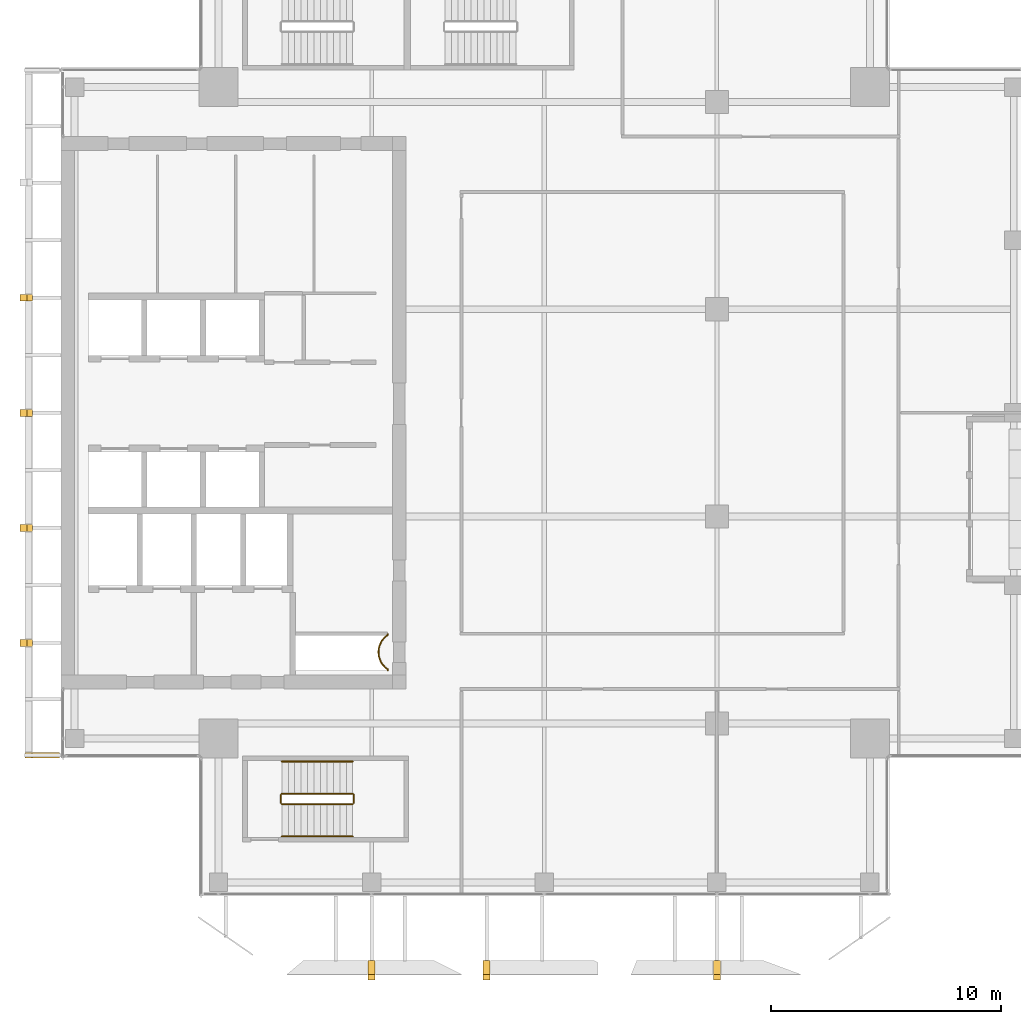
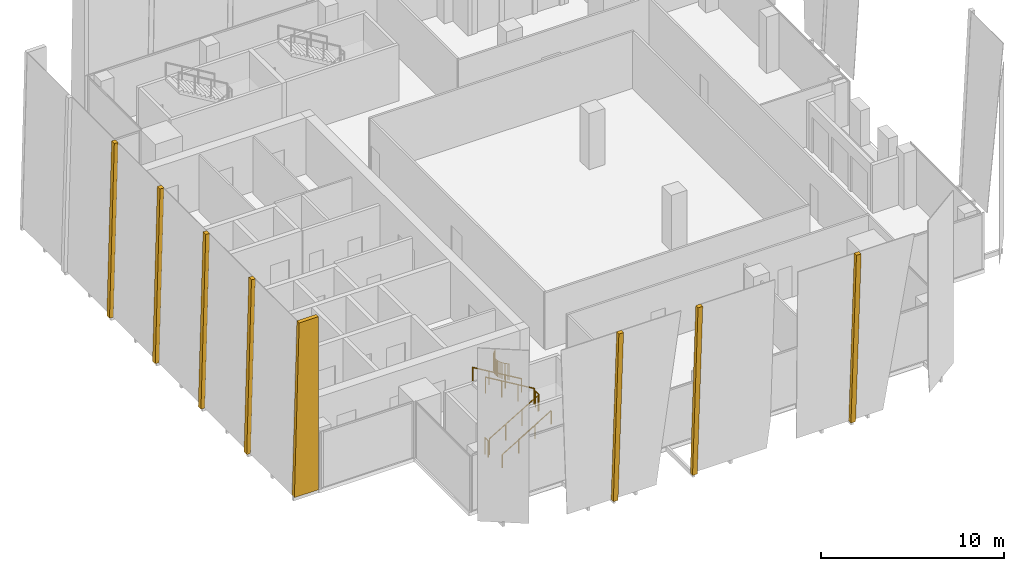
# One storey, part 29 of 32: 8 coverings, 7 railings.
"""IFC4 building model written with IfcOpenShell, lengths in metres."""

from ifc_helpers import new_model, si_unit, direction, frame, origin, origin_2d, place, context, subcontext, project, spatial, polyline, circle, outline, extrude, source, transform, mapped, material, layer, layer_set, type_object, element, save


model = new_model("IFC4")

# Units and contexts
model_context = context("Model", 3, precision=1e-05, world=origin(), true_north=direction((0.0, 1.0)))
body_context = subcontext(model_context, "Body", "Model", "MODEL_VIEW")
ifc_project = project(units=[si_unit("LENGTHUNIT", "METRE"), si_unit("AREAUNIT", "SQUARE_METRE"), si_unit("VOLUMEUNIT", "CUBIC_METRE"), si_unit("PLANEANGLEUNIT", "RADIAN"), si_unit("MASSUNIT", "GRAM", prefix="KILO")], contexts=[model_context])

# Site, building, storey
site_placement = place(None, origin())
site = spatial("IfcSite", under=ifc_project, at=site_placement, CompositionType="ELEMENT")
building_placement = place(site_placement, origin())
building = spatial("IfcBuilding", under=site, at=building_placement, Name="Khomas Fold Tower", CompositionType="ELEMENT")
storey_placement = place(building_placement, frame((0.0, 0.0, 318.199951171875)))
storey = spatial("IfcBuildingStorey", under=building, at=storey_placement, Name="L72", CompositionType="ELEMENT", Elevation=318.199951171875)

# Coverings
ifc_material_1 = material(Name="Natural stone cladding", Category="masonry")
ifc_layer = layer(ifc_material_1, 0.25)
ifc_layer_set = layer_set([ifc_layer], Name="Natural stone cladding")
covering_type = type_object("IfcCoveringType", Name="SK-Karibib marble stone mullion", PredefinedType="CLADDING", material=ifc_layer_set)
covering_1_placement = place(storey_placement, frame((19.35009765625, 3.21337890625, 0.0), z_axis=(0.0, 0.99862882819, 0.052349436554), x_axis=(0.0, -0.052349436554, 0.99862882819)))
element("IfcCovering", 1, at=covering_1_placement, inside=storey, type_object=covering_type, Name="OUTER SKIN mullion L72 SM100-3", PredefinedType="CLADDING", context=body_context, shape_type="SweptSolid", body=[
    extrude(outline(polyline([(0.0, 0.0), (11.565907674683308, 0.0), (11.565907674683308, 0.2998046875), (0.0, 0.2998046875), (0.0, 0.0)])), origin(), (0.0, 0.0, -1.0), 0.25),
])
covering_2_placement = place(storey_placement, frame((24.361083984375, 3.21337890625, 0.0), z_axis=(7.9585813e-05, 0.99862882107, 0.052349511882), x_axis=(-0.041883682138, -0.052300246238, 0.997752695518)))
element("IfcCovering", 2, at=covering_2_placement, inside=storey, type_object=covering_type, Name="OUTER SKIN mullion L72 SM101-5", PredefinedType="CLADDING", context=body_context, shape_type="SweptSolid", body=[
    extrude(outline(polyline([(0.0, 0.0), (0.26230577858426307, 1.734723475976807e-18), (11.556218664218841, 0.47344611463609115), (11.543661739983998, 0.7729877206467153), (-0.012096776359787535, 0.2885649184939481), (0.0, 0.0)])), origin(), (0.0, 0.0, -1.0), 0.25),
])
covering_3_placement = place(storey_placement, frame((34.35009765625, 3.21337890625, 0.0), z_axis=(0.0, 0.99862882819, 0.052349436554), x_axis=(0.0, -0.052349436554, 0.99862882819)))
element("IfcCovering", 3, at=covering_3_placement, inside=storey, type_object=covering_type, Name="OUTER SKIN mullion L72 SM103-8", PredefinedType="CLADDING", context=body_context, shape_type="SweptSolid", body=[
    extrude(outline(polyline([(0.0, 0.0), (11.565907674683308, 0.0), (11.565907674683308, 0.2998046875), (0.0, 0.2998046875), (0.0, 0.0)])), origin(), (0.0, 0.0, -1.0), 0.25),
])
for number, where, z_axis, x_axis, name in (
    (4, (4.224609375, 16.85009765625, 0.006591796875), (-0.999657230839, 0.0, 0.026180543005), (0.0, 1.0, 0.0), "OUTER SKIN mullion L72 W2"),
    (5, (4.224609375, 21.85009765625, 0.006591796875), (-0.999657230839, 0.0, 0.026180543005), (0.0, 1.0, 0.0), "OUTER SKIN mullion L72 W4"),
    (6, (4.224609375, 26.85009765625, 0.006591796875), (-0.999657230839, 0.0, 0.026180543005), (0.0, 1.0, 0.0), "OUTER SKIN mullion L72 W6"),
    (7, (4.224609375, 31.85009765625, 0.006591796875), (-0.999657230839, 0.0, 0.026180543005), (0.0, 1.0, 0.0), "OUTER SKIN mullion L72 W8"),
):
    element("IfcCovering", number, at=place(storey_placement, frame(where, z_axis=z_axis, x_axis=x_axis)), inside=storey, type_object=covering_type, Name=name, PredefinedType="CLADDING", context=body_context, shape_type="SweptSolid", body=[
        extrude(outline(polyline([(0.0, 0.0), (0.2998046875, 0.0), (0.2998046875, -11.554009186164079), (0.0, -11.554009186164079), (0.0, 0.0)])), origin(), (0.0, 0.0, -1.0), 0.25),
    ])
covering_4_placement = place(storey_placement, frame((5.949951171875, 12.0, 11.550048828125), z_axis=(0.0, -1.0, 0.0), x_axis=(-1.0, 0.0, 0.0)))
element("IfcCovering", 8, at=covering_4_placement, inside=storey, type_object=covering_type, Name="OUTER SKIN return L72 W1", PredefinedType="CLADDING", context=body_context, shape_type="SweptSolid", body=[
    extrude(outline(polyline([(0.0, 0.0), (1.213134765625, 0.0), (1.515380859375, 11.550048828125), (0.0, 11.550048828125), (0.0, 0.0)])), origin(), (0.0, 0.0, -1.0), 0.25),
])

# Railings
ifc_material_2 = material(Name="Steel balustrade", Category="steel")
railing_type_1 = type_object("IfcRailingType", Name="Stair guard", PredefinedType="GUARDRAIL", material=ifc_material_2)
shared_shape_1 = source(origin(), body_context, "Body", "SweptSolid", [
    extrude(circle(Radius=0.02392578125, at=origin_2d()), frame((0.0, 0.0, 1.076171875), z_axis=(0.0, 1.0, 0.0), x_axis=(-1.0, 0.0, 0.0)), (0.0, 0.0, 1.0), 0.349853515625),
    extrude(circle(Radius=0.02099609375, at=origin_2d()), origin(), (0.0, 0.0, 1.0), 1.052001953125),
    extrude(circle(Radius=0.02099609375, at=origin_2d()), frame((0.0, 0.349853515625, 0.0)), (0.0, 0.0, 1.0), 1.052001953125),
])
for number, where, name in (
    (9, (18.72998046875, 10.050048828125, 2.0), "L72 ST2 stair guard 2"),
    (10, (15.550048828125, 10.050048828125, 0.0), "L72 ST2 stair guard 4"),
):
    element("IfcRailing", number, at=place(storey_placement, frame(where)), inside=storey, type_object=railing_type_1, Name=name, PredefinedType="GUARDRAIL", context=body_context, shape_type="MappedRepresentation", body=[
        mapped(shared_shape_1, transform((0.0, 0.0, 0.0))),
    ])
shared_shape_2 = source(origin(), body_context, "Body", "SweptSolid", [
    extrude(circle(Radius=0.02392578125, at=origin_2d()), frame((0.0, 0.0, 1.076171875), z_axis=(0.859290745958, 0.0, 0.51148745235), x_axis=(0.0, 1.0, 0.0)), (0.0, 0.0, 1.0), 3.584228515625),
    extrude(circle(Radius=0.02099609375, at=origin_2d()), origin(), (0.0, 0.0, 1.0), 1.052001953125),
    extrude(circle(Radius=0.02099609375, at=origin_2d()), frame((1.026611328125, 0.0, 0.611083984375)), (0.0, 0.0, 1.0), 1.052001953125),
    extrude(circle(Radius=0.02099609375, at=origin_2d()), frame((2.05322265625, 0.0, 1.22216796875)), (0.0, 0.0, 1.0), 1.052001953125),
    extrude(circle(Radius=0.02099609375, at=origin_2d()), frame((3.079833984375, 0.0, 1.833251953125)), (0.0, 0.0, 1.0), 1.052001953125),
])
railing_1_placement = place(storey_placement, frame((15.60009765625, 10.0, 0.166748046875)))
element("IfcRailing", 11, at=railing_1_placement, inside=storey, type_object=railing_type_1, Name="L72 ST2 stair guard 1", PredefinedType="GUARDRAIL", context=body_context, shape_type="MappedRepresentation", body=[
    mapped(shared_shape_2, transform((0.0, 0.0, 0.0))),
])
shared_shape_3 = source(origin(), body_context, "Body", "SweptSolid", [
    extrude(circle(Radius=0.02392578125, at=origin_2d()), frame((0.0, 0.0, 1.076171875), z_axis=(-0.859290745958, 0.0, 0.51148745235), x_axis=(0.0, -1.0, 0.0)), (0.0, 0.0, 1.0), 3.584228515625),
    extrude(circle(Radius=0.02099609375, at=origin_2d()), origin(), (0.0, 0.0, 1.0), 1.052001953125),
    extrude(circle(Radius=0.02099609375, at=origin_2d()), frame((-1.026611328125, 0.0, 0.611083984375)), (0.0, 0.0, 1.0), 1.052001953125),
    extrude(circle(Radius=0.02099609375, at=origin_2d()), frame((-2.05322265625, 0.0, 1.22216796875)), (0.0, 0.0, 1.0), 1.052001953125),
    extrude(circle(Radius=0.02099609375, at=origin_2d()), frame((-3.079833984375, 0.0, 1.833251953125)), (0.0, 0.0, 1.0), 1.052001953125),
])
railing_2_placement = place(storey_placement, frame((18.679931640625, 10.449951171875, 2.166748046875)))
element("IfcRailing", 12, at=railing_2_placement, inside=storey, type_object=railing_type_1, Name="L72 ST2 stair guard 3", PredefinedType="GUARDRAIL", context=body_context, shape_type="MappedRepresentation", body=[
    mapped(shared_shape_3, transform((0.0, 0.0, 0.0))),
])
ifc_material_3 = material(Name="Steel handrail", Category="steel")
railing_type_2 = type_object("IfcRailingType", Name="Stair handrail", PredefinedType="HANDRAIL", material=ifc_material_3)
shared_shape_4 = source(origin(), body_context, "Body", "SweptSolid", [
    extrude(circle(Radius=0.02392578125, at=origin_2d()), frame((0.0, 0.0, 0.8759765625), z_axis=(0.859290745958, 0.0, 0.51148745235), x_axis=(0.0, 1.0, 0.0)), (0.0, 0.0, 1.0), 3.584228515625),
    extrude(circle(Radius=0.02099609375, at=origin_2d()), origin(), (0.0, 0.0, 1.0), 0.851806640625),
    extrude(circle(Radius=0.02099609375, at=origin_2d()), frame((1.026611328125, 0.0, 0.611083984375)), (0.0, 0.0, 1.0), 0.851806640625),
    extrude(circle(Radius=0.02099609375, at=origin_2d()), frame((2.05322265625, 0.0, 1.22216796875)), (0.0, 0.0, 1.0), 0.851806640625),
    extrude(circle(Radius=0.02099609375, at=origin_2d()), frame((3.079833984375, 0.0, 1.833251953125)), (0.0, 0.0, 1.0), 0.851806640625),
])
railing_3_placement = place(storey_placement, frame((15.60009765625, 8.60009765625, 0.166748046875)))
element("IfcRailing", 13, at=railing_3_placement, inside=storey, type_object=railing_type_2, Name="L72 ST2 stair handrail 1", PredefinedType="HANDRAIL", context=body_context, shape_type="MappedRepresentation", body=[
    mapped(shared_shape_4, transform((0.0, 0.0, 0.0))),
])
shared_shape_5 = source(origin(), body_context, "Body", "SweptSolid", [
    extrude(circle(Radius=0.02392578125, at=origin_2d()), frame((0.0, 0.0, 0.8759765625), z_axis=(-0.859290745958, 0.0, 0.51148745235), x_axis=(0.0, -1.0, 0.0)), (0.0, 0.0, 1.0), 3.584228515625),
    extrude(circle(Radius=0.02099609375, at=origin_2d()), origin(), (0.0, 0.0, 1.0), 0.851806640625),
    extrude(circle(Radius=0.02099609375, at=origin_2d()), frame((-1.026611328125, 0.0, 0.611083984375)), (0.0, 0.0, 1.0), 0.851806640625),
    extrude(circle(Radius=0.02099609375, at=origin_2d()), frame((-2.05322265625, 0.0, 1.22216796875)), (0.0, 0.0, 1.0), 0.851806640625),
    extrude(circle(Radius=0.02099609375, at=origin_2d()), frame((-3.079833984375, 0.0, 1.833251953125)), (0.0, 0.0, 1.0), 0.851806640625),
])
railing_4_placement = place(storey_placement, frame((18.679931640625, 11.85009765625, 2.166748046875)))
element("IfcRailing", 14, at=railing_4_placement, inside=storey, type_object=railing_type_2, Name="L72 ST2 stair handrail 2", PredefinedType="HANDRAIL", context=body_context, shape_type="MappedRepresentation", body=[
    mapped(shared_shape_5, transform((0.0, 0.0, 0.0))),
])
ifc_material_4 = material(Name="Steel balustrade", Category="steel")
railing_type_3 = type_object("IfcRailingType", Name="Shaft guard", PredefinedType="GUARDRAIL", material=ifc_material_4)
shared_shape_6 = source(origin(), body_context, "Body", "SweptSolid", [
    extrude(circle(Radius=0.02490234375, at=origin_2d()), frame((0.0, 0.0, 1.0751953125), z_axis=(0.0, -1.0, 0.0), x_axis=(1.0, 0.0, 0.0)), (0.0, 0.0, 1.0), 0.034912109375),
    extrude(circle(Radius=0.02490234375, at=origin_2d()), frame((0.0, -0.034912109375, 1.0751953125), z_axis=(-0.802970227885, -0.596019138224, 0.0), x_axis=(0.596019138224, -0.802970227885, 0.0)), (0.0, 0.0, 1.0), 0.08837890625),
    extrude(circle(Radius=0.02490234375, at=origin_2d()), frame((-0.071044921875, -0.087646484375, 1.0751953125), z_axis=(-0.739563952942, -0.673086294251, 0.0), x_axis=(0.673086294251, -0.739563952942, 0.0)), (0.0, 0.0, 1.0), 0.088134765625),
    extrude(circle(Radius=0.02490234375, at=origin_2d()), frame((-0.13623046875, -0.14697265625, 1.0751953125), z_axis=(-0.671709119666, -0.740814996175, 0.0), x_axis=(0.740814996175, -0.671709119666, 0.0)), (0.0, 0.0, 1.0), 0.08837890625),
    extrude(circle(Radius=0.02490234375, at=origin_2d()), frame((-0.195556640625, -0.21240234375, 1.0751953125), z_axis=(-0.597341843489, -0.801986734315, 0.0), x_axis=(0.801986734315, -0.597341843489, 0.0)), (0.0, 0.0, 1.0), 0.08837890625),
    extrude(circle(Radius=0.02490234375, at=origin_2d()), frame((-0.248291015625, -0.283203125, 1.0751953125), z_axis=(-0.514495755428, -0.857492925713, 0.0), x_axis=(0.857492925713, -0.514495755428, 0.0)), (0.0, 0.0, 1.0), 0.08837890625),
    extrude(circle(Radius=0.02490234375, at=origin_2d()), frame((-0.293701171875, -0.35888671875, 1.0751953125), z_axis=(-0.427256721383, -0.904130352346, 0.0), x_axis=(0.904130352346, -0.427256721383, 0.0)), (0.0, 0.0, 1.0), 0.088623046875),
    extrude(circle(Radius=0.02490234375, at=origin_2d()), frame((-0.33154296875, -0.43896484375, 1.0751953125), z_axis=(-0.335282981086, -0.942117467514, 0.0), x_axis=(0.942117467514, -0.335282981086, 0.0)), (0.0, 0.0, 1.0), 0.088134765625),
    extrude(circle(Radius=0.02490234375, at=origin_2d()), frame((-0.361083984375, -0.52197265625, 1.0751953125), z_axis=(-0.243185799972, -0.969979724887, 0.0), x_axis=(0.969979724887, -0.243185799972, 0.0)), (0.0, 0.0, 1.0), 0.08837890625),
    extrude(circle(Radius=0.02490234375, at=origin_2d()), frame((-0.382568359375, -0.607666015625, 1.0751953125), z_axis=(-0.149150785005, -0.988814463553, 0.0), x_axis=(0.988814463553, -0.149150785005, 0.0)), (0.0, 0.0, 1.0), 0.08837890625),
    extrude(circle(Radius=0.02490234375, at=origin_2d()), frame((-0.395751953125, -0.695068359375, 1.0751953125), z_axis=(-0.047039284441, -0.99889304018, 0.0), x_axis=(0.99889304018, -0.047039284441, 0.0)), (0.0, 0.0, 1.0), 0.088134765625),
    extrude(circle(Radius=0.02490234375, at=origin_2d()), frame((-0.39990234375, -0.783203125, 1.0751953125), z_axis=(0.046909628002, -0.998899137451, 0.0), x_axis=(0.998899137451, 0.046909628002, 0.0)), (0.0, 0.0, 1.0), 0.08837890625),
    extrude(circle(Radius=0.02490234375, at=origin_2d()), frame((-0.395751953125, -0.87158203125, 1.0751953125), z_axis=(0.149150785005, -0.988814463553, 0.0), x_axis=(0.988814463553, 0.149150785005, 0.0)), (0.0, 0.0, 1.0), 0.08837890625),
    extrude(circle(Radius=0.02490234375, at=origin_2d()), frame((-0.382568359375, -0.958984375, 1.0751953125), z_axis=(0.243185799972, -0.969979724887, 0.0), x_axis=(0.969979724887, 0.243185799972, 0.0)), (0.0, 0.0, 1.0), 0.08837890625),
    extrude(circle(Radius=0.02490234375, at=origin_2d()), frame((-0.361083984375, -1.044677734375, 1.0751953125), z_axis=(0.335282981086, -0.942117467514, 0.0), x_axis=(0.942117467514, 0.335282981086, 0.0)), (0.0, 0.0, 1.0), 0.088134765625),
    extrude(circle(Radius=0.02490234375, at=origin_2d()), frame((-0.33154296875, -1.127685546875, 1.0751953125), z_axis=(0.428323905606, -0.903625271828, 0.0), x_axis=(0.903625271828, 0.428323905606, 0.0)), (0.0, 0.0, 1.0), 0.08837890625),
    extrude(circle(Radius=0.02490234375, at=origin_2d()), frame((-0.293701171875, -1.20751953125, 1.0751953125), z_axis=(0.514495755428, -0.857492925713, 0.0), x_axis=(0.857492925713, 0.514495755428, 0.0)), (0.0, 0.0, 1.0), 0.08837890625),
    extrude(circle(Radius=0.02490234375, at=origin_2d()), frame((-0.248291015625, -1.283203125, 1.0751953125), z_axis=(0.596019138224, -0.802970227885, 0.0), x_axis=(0.802970227885, 0.596019138224, 0.0)), (0.0, 0.0, 1.0), 0.08837890625),
    extrude(circle(Radius=0.02490234375, at=origin_2d()), frame((-0.195556640625, -1.354248046875, 1.0751953125), z_axis=(0.671709119666, -0.740814996175, 0.0), x_axis=(0.740814996175, 0.671709119666, 0.0)), (0.0, 0.0, 1.0), 0.08837890625),
    extrude(circle(Radius=0.02490234375, at=origin_2d()), frame((-0.13623046875, -1.419677734375, 1.0751953125), z_axis=(0.739563952942, -0.673086294251, 0.0), x_axis=(0.673086294251, 0.739563952942, 0.0)), (0.0, 0.0, 1.0), 0.088134765625),
    extrude(circle(Radius=0.02490234375, at=origin_2d()), frame((-0.071044921875, -1.47900390625, 1.0751953125), z_axis=(0.804291006819, -0.594235623595, 0.0), x_axis=(0.594235623595, 0.804291006819, 0.0)), (0.0, 0.0, 1.0), 0.08837890625),
    extrude(circle(Radius=0.02490234375, at=origin_2d()), frame((0.0, -1.531494140625, 1.0751953125), z_axis=(0.0, -1.0, 0.0), x_axis=(1.0, 0.0, 0.0)), (0.0, 0.0, 1.0), 0.03515625),
    extrude(circle(Radius=0.02001953125, at=origin_2d()), origin(), (0.0, 0.0, 1.0), 1.050048828125),
    extrude(circle(Radius=0.02001953125, at=origin_2d()), frame((0.0, -0.034912109375, 0.0)), (0.0, 0.0, 1.0), 1.050048828125),
    extrude(circle(Radius=0.02001953125, at=origin_2d()), frame((-0.071044921875, -0.087646484375, 0.0)), (0.0, 0.0, 1.0), 1.050048828125),
    extrude(circle(Radius=0.02001953125, at=origin_2d()), frame((-0.13623046875, -0.14697265625, 0.0)), (0.0, 0.0, 1.0), 1.050048828125),
    extrude(circle(Radius=0.02001953125, at=origin_2d()), frame((-0.195556640625, -0.21240234375, 0.0)), (0.0, 0.0, 1.0), 1.050048828125),
    extrude(circle(Radius=0.02001953125, at=origin_2d()), frame((-0.248291015625, -0.283203125, 0.0)), (0.0, 0.0, 1.0), 1.050048828125),
    extrude(circle(Radius=0.02001953125, at=origin_2d()), frame((-0.293701171875, -0.35888671875, 0.0)), (0.0, 0.0, 1.0), 1.050048828125),
    extrude(circle(Radius=0.02001953125, at=origin_2d()), frame((-0.33154296875, -0.43896484375, 0.0)), (0.0, 0.0, 1.0), 1.050048828125),
    extrude(circle(Radius=0.02001953125, at=origin_2d()), frame((-0.361083984375, -0.52197265625, 0.0)), (0.0, 0.0, 1.0), 1.050048828125),
    extrude(circle(Radius=0.02001953125, at=origin_2d()), frame((-0.382568359375, -0.607666015625, 0.0)), (0.0, 0.0, 1.0), 1.050048828125),
    extrude(circle(Radius=0.02001953125, at=origin_2d()), frame((-0.395751953125, -0.695068359375, 0.0)), (0.0, 0.0, 1.0), 1.050048828125),
    extrude(circle(Radius=0.02001953125, at=origin_2d()), frame((-0.39990234375, -0.783203125, 0.0)), (0.0, 0.0, 1.0), 1.050048828125),
    extrude(circle(Radius=0.02001953125, at=origin_2d()), frame((-0.395751953125, -0.87158203125, 0.0)), (0.0, 0.0, 1.0), 1.050048828125),
    extrude(circle(Radius=0.02001953125, at=origin_2d()), frame((-0.382568359375, -0.958984375, 0.0)), (0.0, 0.0, 1.0), 1.050048828125),
    extrude(circle(Radius=0.02001953125, at=origin_2d()), frame((-0.361083984375, -1.044677734375, 0.0)), (0.0, 0.0, 1.0), 1.050048828125),
    extrude(circle(Radius=0.02001953125, at=origin_2d()), frame((-0.33154296875, -1.127685546875, 0.0)), (0.0, 0.0, 1.0), 1.050048828125),
    extrude(circle(Radius=0.02001953125, at=origin_2d()), frame((-0.293701171875, -1.20751953125, 0.0)), (0.0, 0.0, 1.0), 1.050048828125),
    extrude(circle(Radius=0.02001953125, at=origin_2d()), frame((-0.248291015625, -1.283203125, 0.0)), (0.0, 0.0, 1.0), 1.050048828125),
    extrude(circle(Radius=0.02001953125, at=origin_2d()), frame((-0.195556640625, -1.354248046875, 0.0)), (0.0, 0.0, 1.0), 1.050048828125),
    extrude(circle(Radius=0.02001953125, at=origin_2d()), frame((-0.13623046875, -1.419677734375, 0.0)), (0.0, 0.0, 1.0), 1.050048828125),
    extrude(circle(Radius=0.02001953125, at=origin_2d()), frame((-0.071044921875, -1.47900390625, 0.0)), (0.0, 0.0, 1.0), 1.050048828125),
    extrude(circle(Radius=0.02001953125, at=origin_2d()), frame((0.0, -1.531494140625, 0.0)), (0.0, 0.0, 1.0), 1.050048828125),
    extrude(circle(Radius=0.02001953125, at=origin_2d()), frame((0.0, -1.566650390625, 0.0)), (0.0, 0.0, 1.0), 1.050048828125),
])
railing_5_placement = place(storey_placement, frame((20.199951171875, 17.38330078125, 0.0)))
element("IfcRailing", 15, at=railing_5_placement, inside=storey, type_object=railing_type_3, Name="Shaft guard L72 1", PredefinedType="GUARDRAIL", context=body_context, shape_type="MappedRepresentation", body=[
    mapped(shared_shape_6, transform((0.0, 0.0, 0.0))),
])

save(model, "model.ifc")
